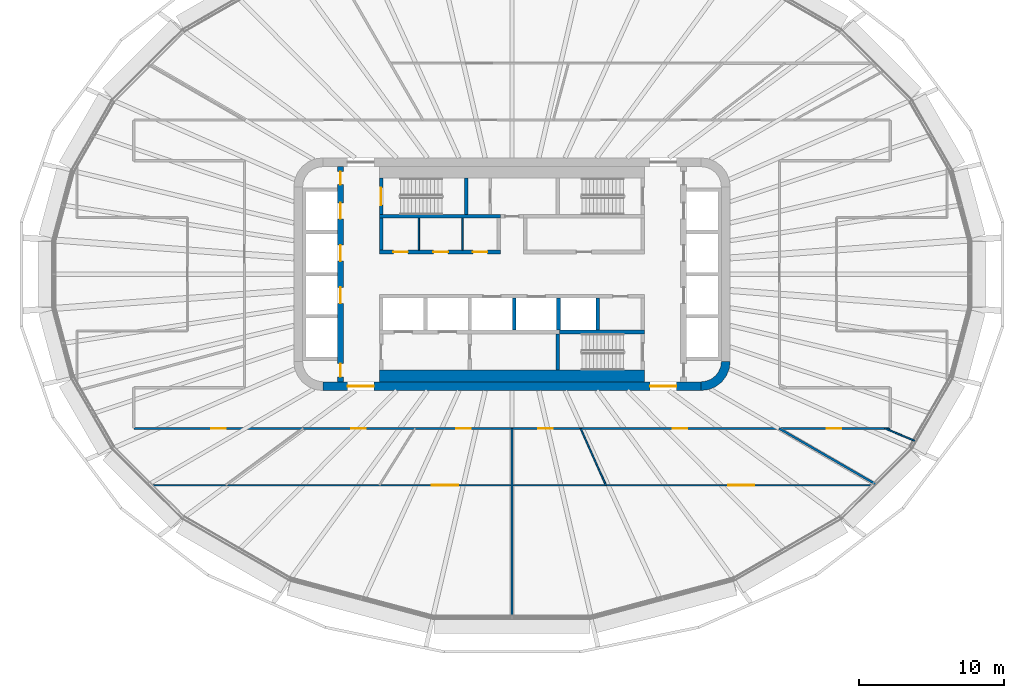
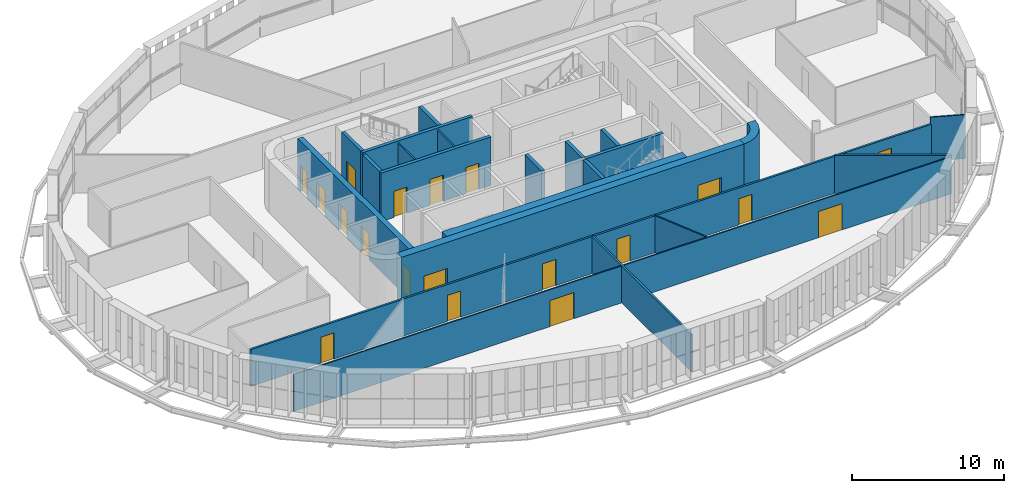
# One storey, part 15 of 25: 22 walls, 19 doors, 19 openings.
"""IFC4 building model written with IfcOpenShell, lengths in metres."""

from ifc_helpers import new_model, si_unit, direction, frame, frame_2d, origin, place, context, subcontext, project, spatial, polyline, rectangle, outline, extrude, material, layer, layer_set, type_object, element, fill, save


model = new_model("IFC4")

# Units and contexts
model_context = context("Model", 3, precision=1e-05, world=origin(), true_north=direction((0.0, 1.0)))
body_context = subcontext(model_context, "Body", "Model", "MODEL_VIEW")
ifc_project = project(units=[si_unit("LENGTHUNIT", "METRE"), si_unit("AREAUNIT", "SQUARE_METRE"), si_unit("VOLUMEUNIT", "CUBIC_METRE"), si_unit("PLANEANGLEUNIT", "RADIAN"), si_unit("MASSUNIT", "GRAM", prefix="KILO")], contexts=[model_context])

# Site, building, storey
site_placement = place(None, origin())
site = spatial("IfcSite", under=ifc_project, at=site_placement, CompositionType="ELEMENT")
building_placement = place(site_placement, origin())
building = spatial("IfcBuilding", under=site, at=building_placement, Name="Sahrelin Media Tower", CompositionType="ELEMENT")
storey_placement = place(building_placement, frame((0.0, 0.0, 139.800048828125)))
storey = spatial("IfcBuildingStorey", under=building, at=storey_placement, Name="L28", CompositionType="ELEMENT", Elevation=139.800048828125)

# Wall, openings, doors
ifc_material_1 = material(Name="Concrete C60/75", Category="concrete")
ifc_layer_1 = layer(ifc_material_1, 0.60009765625)
ifc_layer_set_1 = layer_set([ifc_layer_1], Name="Core wall 600")
wall_type_1 = type_object("IfcWallType", Name="Core wall 600", PredefinedType="SHEAR", material=ifc_layer_set_1)
wall_1_placement = place(storey_placement, frame((-13.0, -7.699951171875, 0.0), z_axis=(0.0, 0.0, 1.0), x_axis=(1.0, 0.0, 0.0)))
wall_1 = element("IfcWall", 1, at=wall_1_placement, inside=storey, type_object=wall_type_1, Name="Core wall S L28", PredefinedType="SHEAR", context=body_context, shape_type="SweptSolid", body=[
    extrude(rectangle(XDim=26.0, YDim=0.60009765625, at=frame_2d((13.0, 0.0))), origin(), (0.0, 0.0, 1.0), 4.199951171875),
])
opening_1_placement = place(wall_1_placement, frame((1.699951171875, 0.0, 0.0)))
opening_1 = element("IfcOpeningElement", 2, at=opening_1_placement, cuts=wall_1, Name="Opening L28-D19", PredefinedType="OPENING", context=body_context, shape_type="SweptSolid", body=[
    extrude(rectangle(XDim=1.800048828125, YDim=2.10009765625, at=frame_2d((0.89990234375, 1.050048828125))), frame((0.0, 0.300048828125, 0.0), z_axis=(0.0, -1.0, 0.0), x_axis=(1.0, 0.0, 0.0)), (0.0, 0.0, 1.0), 0.60009765625),
])
opening_2_placement = place(wall_1_placement, frame((22.5, 0.0, 0.0)))
opening_2 = element("IfcOpeningElement", 3, at=opening_2_placement, cuts=wall_1, Name="Opening L28-D20", PredefinedType="OPENING", context=body_context, shape_type="SweptSolid", body=[
    extrude(rectangle(XDim=1.800048828125, YDim=2.10009765625, at=frame_2d((0.89990234375, 1.050048828125))), frame((0.0, 0.300048828125, 0.0), z_axis=(0.0, -1.0, 0.0), x_axis=(1.0, 0.0, 0.0)), (0.0, 0.0, 1.0), 0.60009765625),
])
ifc_material_2 = material(Name="Steel fire door leaf", Category="steel")
door_type_1 = type_object("IfcDoorType", Name="Lobby double door 1800 x 2100 EI 60", OperationType="DOUBLE_DOOR_SINGLE_SWING", PredefinedType="DOOR", material=ifc_material_2)
door_1_placement = place(opening_1_placement, origin())
door_1 = element("IfcDoor", 4, at=door_1_placement, inside=storey, type_object=door_type_1, Name="Lobby door", OperationType="DOUBLE_DOOR_SINGLE_SWING", OverallHeight=2.10009765625, OverallWidth=1.800048828125, PredefinedType="DOOR", context=body_context, shape_type="SweptSolid", body=[
    extrude(rectangle(XDim=1.800048828125, YDim=2.10009765625, at=frame_2d((0.89990234375, 1.050048828125))), frame((0.0, 0.02490234375, 0.0), z_axis=(0.0, -1.0, 0.0), x_axis=(1.0, 0.0, 0.0)), (0.0, 0.0, 1.0), 0.050048828125),
])
fill(opening_1, door_1)
door_2_placement = place(opening_2_placement, origin())
door_2 = element("IfcDoor", 5, at=door_2_placement, inside=storey, type_object=door_type_1, Name="Lobby door", OperationType="DOUBLE_DOOR_SINGLE_SWING", OverallHeight=2.10009765625, OverallWidth=1.800048828125, PredefinedType="DOOR", context=body_context, shape_type="SweptSolid", body=[
    extrude(rectangle(XDim=1.800048828125, YDim=2.10009765625, at=frame_2d((0.89990234375, 1.050048828125))), frame((0.0, 0.02490234375, 0.0), z_axis=(0.0, -1.0, 0.0), x_axis=(1.0, 0.0, 0.0)), (0.0, 0.0, 1.0), 0.050048828125),
])
fill(opening_2, door_2)

# Wall
wall_2_placement = place(storey_placement, origin())
element("IfcWall", 6, at=wall_2_placement, inside=storey, type_object=wall_type_1, Name="Core wall corner SE L28", PredefinedType="SHEAR", context=body_context, shape_type="SweptSolid", body=[
    extrude(outline(polyline([(15.0, -6.0), (14.394775390625, -6.0), (14.347412109375, -6.361083984375), (14.2080078125, -6.697509765625), (13.986328125, -6.986328125), (13.697509765625, -7.2080078125), (13.361083984375, -7.347412109375), (13.0, -7.394775390625), (13.0, -8.0), (13.517578125, -7.931884765625), (14.0, -7.732177734375), (14.414306640625, -7.414306640625), (14.732177734375, -7.0), (14.931884765625, -6.517578125), (15.0, -6.0)])), origin(), (0.0, 0.0, 1.0), 4.199951171875),
])

# Wall, openings, doors
ifc_material_3 = material(Name="Fire-rated gypsum board partition")
ifc_layer_2 = layer(ifc_material_3, 0.25)
ifc_layer_set_2 = layer_set([ifc_layer_2], Name="Fire-rated lobby wall 250")
wall_type_2 = type_object("IfcWallType", Name="Fire-rated lobby wall 250", PredefinedType="PARTITIONING", material=ifc_layer_set_2)
wall_3_placement = place(storey_placement, frame((-9.125, 1.52490234375, 0.0), z_axis=(0.0, 0.0, 1.0), x_axis=(1.0, 0.0, 0.0)))
wall_3 = element("IfcWall", 7, at=wall_3_placement, inside=storey, type_object=wall_type_2, Name="Core lobby wall", PredefinedType="PARTITIONING", context=body_context, shape_type="SweptSolid", body=[
    extrude(rectangle(XDim=8.35009765625, YDim=0.25, at=frame_2d((4.175048828125, 0.0))), origin(), (0.0, 0.0, 1.0), 3.89990234375),
])
opening_3_placement = place(wall_3_placement, frame((0.96240234375, 0.0, 0.0)))
opening_3 = element("IfcOpeningElement", 8, at=opening_3_placement, cuts=wall_3, Name="Opening L28-D08", PredefinedType="OPENING", context=body_context, shape_type="SweptSolid", body=[
    extrude(rectangle(XDim=1.0, YDim=2.10009765625, at=frame_2d((0.5, 1.050048828125))), frame((0.0, 0.125, 0.0), z_axis=(0.0, -1.0, 0.0), x_axis=(1.0, 0.0, 0.0)), (0.0, 0.0, 1.0), 0.25),
])
opening_4_placement = place(wall_3_placement, frame((3.72509765625, 0.0, 0.0)))
opening_4 = element("IfcOpeningElement", 9, at=opening_4_placement, cuts=wall_3, Name="Opening L28-D09", PredefinedType="OPENING", context=body_context, shape_type="SweptSolid", body=[
    extrude(rectangle(XDim=1.0, YDim=2.10009765625, at=frame_2d((0.5, 1.050048828125))), frame((0.0, 0.125, 0.0), z_axis=(0.0, -1.0, 0.0), x_axis=(1.0, 0.0, 0.0)), (0.0, 0.0, 1.0), 0.25),
])
opening_5_placement = place(wall_3_placement, frame((6.4375, 0.0, 0.0)))
opening_5 = element("IfcOpeningElement", 10, at=opening_5_placement, cuts=wall_3, Name="Opening L28-D10", PredefinedType="OPENING", context=body_context, shape_type="SweptSolid", body=[
    extrude(rectangle(XDim=1.0, YDim=2.10009765625, at=frame_2d((0.5, 1.050048828125))), frame((0.0, 0.125, 0.0), z_axis=(0.0, -1.0, 0.0), x_axis=(1.0, 0.0, 0.0)), (0.0, 0.0, 1.0), 0.25),
])
door_type_2 = type_object("IfcDoorType", Name="Fire door 1000 x 2100 EI 60", OperationType="NOTDEFINED", PredefinedType="DOOR", material=ifc_material_2)
door_3_placement = place(opening_3_placement, origin())
door_3 = element("IfcDoor", 11, at=door_3_placement, inside=storey, type_object=door_type_2, Name="Core room door", OperationType="SINGLE_SWING_LEFT", OverallHeight=2.10009765625, OverallWidth=1.0, PredefinedType="DOOR", context=body_context, shape_type="SweptSolid", body=[
    extrude(rectangle(XDim=1.0, YDim=2.10009765625, at=frame_2d((0.5, 1.050048828125))), frame((0.0, 0.02490234375, 0.0), z_axis=(0.0, -1.0, 0.0), x_axis=(1.0, 0.0, 0.0)), (0.0, 0.0, 1.0), 0.050048828125),
])
fill(opening_3, door_3)
door_4_placement = place(opening_4_placement, origin())
door_4 = element("IfcDoor", 12, at=door_4_placement, inside=storey, type_object=door_type_2, Name="Core room door", OperationType="SINGLE_SWING_LEFT", OverallHeight=2.10009765625, OverallWidth=1.0, PredefinedType="DOOR", context=body_context, shape_type="SweptSolid", body=[
    extrude(rectangle(XDim=1.0, YDim=2.10009765625, at=frame_2d((0.5, 1.050048828125))), frame((0.0, 0.02490234375, 0.0), z_axis=(0.0, -1.0, 0.0), x_axis=(1.0, 0.0, 0.0)), (0.0, 0.0, 1.0), 0.050048828125),
])
fill(opening_4, door_4)
door_5_placement = place(opening_5_placement, origin())
door_5 = element("IfcDoor", 13, at=door_5_placement, inside=storey, type_object=door_type_2, Name="Core room door", OperationType="SINGLE_SWING_LEFT", OverallHeight=2.10009765625, OverallWidth=1.0, PredefinedType="DOOR", context=body_context, shape_type="SweptSolid", body=[
    extrude(rectangle(XDim=1.0, YDim=2.10009765625, at=frame_2d((0.5, 1.050048828125))), frame((0.0, 0.02490234375, 0.0), z_axis=(0.0, -1.0, 0.0), x_axis=(1.0, 0.0, 0.0)), (0.0, 0.0, 1.0), 0.050048828125),
])
fill(opening_5, door_5)

# Walls
wall_4_placement = place(storey_placement, frame((-9.0, 1.64990234375, 0.0), z_axis=(0.0, 0.0, 1.0), x_axis=(0.0, 1.0, 0.0)))
element("IfcWall", 14, at=wall_4_placement, inside=storey, type_object=wall_type_2, Name="Core lobby wall", PredefinedType="PARTITIONING", context=body_context, shape_type="SweptSolid", body=[
    extrude(rectangle(XDim=2.2001953125, YDim=0.25, at=frame_2d((1.10009765625, 0.0))), origin(), (0.0, 0.0, 1.0), 3.89990234375),
])
ifc_layer_3 = layer(ifc_material_3, 0.10009765625)
ifc_layer_set_3 = layer_set([ifc_layer_3], Name="Fire-rated partition 100")
wall_type_3 = type_object("IfcWallType", Name="Fire-rated partition 100", PredefinedType="PARTITIONING", material=ifc_layer_set_3)
for number, where, z_axis, x_axis, name in (
    (15, (-6.39990234375, 1.64990234375, 0.0), (0.0, 0.0, 1.0), (0.0, 1.0, 0.0), "Core room partition"),
    (16, (-3.39990234375, 1.64990234375, 0.0), (0.0, 0.0, 1.0), (0.0, 1.0, 0.0), "Core room partition"),
):
    element("IfcWall", number, at=place(storey_placement, frame(where, z_axis=z_axis, x_axis=x_axis)), inside=storey, type_object=wall_type_3, Name=name, PredefinedType="PARTITIONING", context=body_context, shape_type="SweptSolid", body=[
        extrude(rectangle(XDim=2.2001953125, YDim=0.10009765625, at=frame_2d((1.10009765625, 0.0))), origin(), (0.0, 0.0, 1.0), 3.89990234375),
    ])
ifc_layer_4 = layer(ifc_material_3, 0.14990234375)
ifc_layer_set_4 = layer_set([ifc_layer_4], Name="Fire-rated partition 150")
wall_type_4 = type_object("IfcWallType", Name="Fire-rated partition 150", PredefinedType="PARTITIONING", material=ifc_layer_set_4)
wall_5_placement = place(storey_placement, frame((18.35888671875, -10.60009765625, 0.0), z_axis=(0.0, 0.0, 1.0), x_axis=(0.866036201792, -0.499981296836, 0.0)))
element("IfcWall", 17, at=wall_5_placement, inside=storey, type_object=wall_type_4, Name="Wall", PredefinedType="PARTITIONING", context=body_context, shape_type="SweptSolid", body=[
    extrude(rectangle(XDim=7.701904296875, YDim=0.14990234375, at=frame_2d((3.85107421875, 0.0))), origin(), (0.0, 0.0, 1.0), 3.044921875),
])

# Wall, openings, doors
wall_6_placement = place(storey_placement, frame((-25.986083984375, -10.60009765625, 0.0), z_axis=(0.0, 0.0, 1.0), x_axis=(1.0, 0.0, 0.0)))
wall_6 = element("IfcWall", 18, at=wall_6_placement, inside=storey, type_object=wall_type_4, Name="Wall", PredefinedType="PARTITIONING", context=body_context, shape_type="SweptSolid", body=[
    extrude(rectangle(XDim=51.97216796875, YDim=0.14990234375, at=frame_2d((25.986083984375, 0.0))), origin(), (0.0, 0.0, 1.0), 2.96826171875),
])
opening_6_placement = place(wall_6_placement, frame((47.628173828125, 0.0, 0.0)))
opening_6 = element("IfcOpeningElement", 19, at=opening_6_placement, cuts=wall_6, Name="Opening L28-D21", PredefinedType="OPENING", context=body_context, shape_type="SweptSolid", body=[
    extrude(rectangle(XDim=1.0, YDim=2.10009765625, at=frame_2d((0.5, 1.050048828125))), frame((0.0, 0.074951171875, 0.0), z_axis=(0.0, -1.0, 0.0), x_axis=(1.0, 0.0, 0.0)), (0.0, 0.0, 1.0), 0.14990234375),
])
opening_7_placement = place(wall_6_placement, frame((5.3115234375, 0.0, 0.0)))
opening_7 = element("IfcOpeningElement", 20, at=opening_7_placement, cuts=wall_6, Name="Opening L28-D32", PredefinedType="OPENING", context=body_context, shape_type="SweptSolid", body=[
    extrude(rectangle(XDim=1.0, YDim=2.10009765625, at=frame_2d((0.5, 1.050048828125))), frame((0.0, 0.074951171875, 0.0), z_axis=(0.0, -1.0, 0.0), x_axis=(1.0, 0.0, 0.0)), (0.0, 0.0, 1.0), 0.14990234375),
])
opening_8_placement = place(wall_6_placement, frame((14.924072265625, 0.0, 0.0)))
opening_8 = element("IfcOpeningElement", 21, at=opening_8_placement, cuts=wall_6, Name="Opening L28-D33", PredefinedType="OPENING", context=body_context, shape_type="SweptSolid", body=[
    extrude(rectangle(XDim=1.0, YDim=2.10009765625, at=frame_2d((0.5, 1.050048828125))), frame((0.0, 0.074951171875, 0.0), z_axis=(0.0, -1.0, 0.0), x_axis=(1.0, 0.0, 0.0)), (0.0, 0.0, 1.0), 0.14990234375),
])
opening_9_placement = place(wall_6_placement, frame((22.155517578125, 0.0, 0.0)))
opening_9 = element("IfcOpeningElement", 22, at=opening_9_placement, cuts=wall_6, Name="Opening L28-D34", PredefinedType="OPENING", context=body_context, shape_type="SweptSolid", body=[
    extrude(rectangle(XDim=1.0, YDim=2.10009765625, at=frame_2d((0.5, 1.050048828125))), frame((0.0, 0.074951171875, 0.0), z_axis=(0.0, -1.0, 0.0), x_axis=(1.0, 0.0, 0.0)), (0.0, 0.0, 1.0), 0.14990234375),
])
opening_10_placement = place(wall_6_placement, frame((27.795166015625, 0.0, 0.0)))
opening_10 = element("IfcOpeningElement", 23, at=opening_10_placement, cuts=wall_6, Name="Opening L28-D36", PredefinedType="OPENING", context=body_context, shape_type="SweptSolid", body=[
    extrude(rectangle(XDim=1.0, YDim=2.10009765625, at=frame_2d((0.5, 1.050048828125))), frame((0.0, 0.074951171875, 0.0), z_axis=(0.0, -1.0, 0.0), x_axis=(1.0, 0.0, 0.0)), (0.0, 0.0, 1.0), 0.14990234375),
])
opening_11_placement = place(wall_6_placement, frame((37.04541015625, 0.0, 0.0)))
opening_11 = element("IfcOpeningElement", 24, at=opening_11_placement, cuts=wall_6, Name="Opening L28-D37", PredefinedType="OPENING", context=body_context, shape_type="SweptSolid", body=[
    extrude(rectangle(XDim=1.0, YDim=2.10009765625, at=frame_2d((0.5, 1.050048828125))), frame((0.0, 0.074951171875, 0.0), z_axis=(0.0, -1.0, 0.0), x_axis=(1.0, 0.0, 0.0)), (0.0, 0.0, 1.0), 0.14990234375),
])
door_6_placement = place(opening_6_placement, origin())
door_6 = element("IfcDoor", 25, at=door_6_placement, inside=storey, type_object=door_type_2, Name="Fire door", OperationType="SINGLE_SWING_LEFT", OverallHeight=2.10009765625, OverallWidth=1.0, PredefinedType="DOOR", context=body_context, shape_type="SweptSolid", body=[
    extrude(rectangle(XDim=1.0, YDim=2.10009765625, at=frame_2d((0.5, 1.050048828125))), frame((0.0, 0.02490234375, 0.0), z_axis=(0.0, -1.0, 0.0), x_axis=(1.0, 0.0, 0.0)), (0.0, 0.0, 1.0), 0.050048828125),
])
fill(opening_6, door_6)
door_7_placement = place(opening_7_placement, origin())
door_7 = element("IfcDoor", 26, at=door_7_placement, inside=storey, type_object=door_type_2, Name="Fire door", OperationType="SINGLE_SWING_RIGHT", OverallHeight=2.10009765625, OverallWidth=1.0, PredefinedType="DOOR", context=body_context, shape_type="SweptSolid", body=[
    extrude(rectangle(XDim=1.0, YDim=2.10009765625, at=frame_2d((0.5, 1.050048828125))), frame((0.0, 0.02490234375, 0.0), z_axis=(0.0, -1.0, 0.0), x_axis=(1.0, 0.0, 0.0)), (0.0, 0.0, 1.0), 0.050048828125),
])
fill(opening_7, door_7)
door_8_placement = place(opening_8_placement, origin())
door_8 = element("IfcDoor", 27, at=door_8_placement, inside=storey, type_object=door_type_2, Name="Fire door", OperationType="SINGLE_SWING_RIGHT", OverallHeight=2.10009765625, OverallWidth=1.0, PredefinedType="DOOR", context=body_context, shape_type="SweptSolid", body=[
    extrude(rectangle(XDim=1.0, YDim=2.10009765625, at=frame_2d((0.5, 1.050048828125))), frame((0.0, 0.02490234375, 0.0), z_axis=(0.0, -1.0, 0.0), x_axis=(1.0, 0.0, 0.0)), (0.0, 0.0, 1.0), 0.050048828125),
])
fill(opening_8, door_8)
door_9_placement = place(opening_9_placement, origin())
door_9 = element("IfcDoor", 28, at=door_9_placement, inside=storey, type_object=door_type_2, Name="Fire door", OperationType="SINGLE_SWING_RIGHT", OverallHeight=2.10009765625, OverallWidth=1.0, PredefinedType="DOOR", context=body_context, shape_type="SweptSolid", body=[
    extrude(rectangle(XDim=1.0, YDim=2.10009765625, at=frame_2d((0.5, 1.050048828125))), frame((0.0, 0.02490234375, 0.0), z_axis=(0.0, -1.0, 0.0), x_axis=(1.0, 0.0, 0.0)), (0.0, 0.0, 1.0), 0.050048828125),
])
fill(opening_9, door_9)
door_10_placement = place(opening_10_placement, origin())
door_10 = element("IfcDoor", 29, at=door_10_placement, inside=storey, type_object=door_type_2, Name="Fire door", OperationType="SINGLE_SWING_LEFT", OverallHeight=2.10009765625, OverallWidth=1.0, PredefinedType="DOOR", context=body_context, shape_type="SweptSolid", body=[
    extrude(rectangle(XDim=1.0, YDim=2.10009765625, at=frame_2d((0.5, 1.050048828125))), frame((0.0, 0.02490234375, 0.0), z_axis=(0.0, -1.0, 0.0), x_axis=(1.0, 0.0, 0.0)), (0.0, 0.0, 1.0), 0.050048828125),
])
fill(opening_10, door_10)
door_11_placement = place(opening_11_placement, origin())
door_11 = element("IfcDoor", 30, at=door_11_placement, inside=storey, type_object=door_type_2, Name="Fire door", OperationType="SINGLE_SWING_LEFT", OverallHeight=2.10009765625, OverallWidth=1.0, PredefinedType="DOOR", context=body_context, shape_type="SweptSolid", body=[
    extrude(rectangle(XDim=1.0, YDim=2.10009765625, at=frame_2d((0.5, 1.050048828125))), frame((0.0, 0.02490234375, 0.0), z_axis=(0.0, -1.0, 0.0), x_axis=(1.0, 0.0, 0.0)), (0.0, 0.0, 1.0), 0.050048828125),
])
fill(opening_11, door_11)

# Walls
wall_7_placement = place(storey_placement, frame((0.0, -23.696044921875, 0.0), z_axis=(0.0, 0.0, 1.0), x_axis=(0.0, 1.0, 0.0)))
element("IfcWall", 31, at=wall_7_placement, inside=storey, type_object=wall_type_4, Name="Wall", PredefinedType="PARTITIONING", context=body_context, shape_type="SweptSolid", body=[
    extrude(rectangle(XDim=13.095947265625, YDim=0.14990234375, at=frame_2d((6.5478515625, 0.0))), origin(), (0.0, 0.0, 1.0), 2.96826171875),
])
ifc_layer_5 = layer(ifc_material_1, 0.25)
ifc_layer_set_5 = layer_set([ifc_layer_5], Name="Lift shaft wall 250")
wall_type_5 = type_object("IfcWallType", Name="Lift shaft wall 250", PredefinedType="SOLIDWALL", material=ifc_layer_set_5)
wall_8_placement = place(storey_placement, frame((3.27490234375, -3.97509765625, 0.0), z_axis=(0.0, 0.0, 1.0), x_axis=(1.0, 0.0, 0.0)))
element("IfcWall", 32, at=wall_8_placement, inside=storey, type_object=wall_type_5, Name="Lift shaft wall", PredefinedType="SOLIDWALL", context=body_context, shape_type="SweptSolid", body=[
    extrude(rectangle(XDim=5.85009765625, YDim=0.25, at=frame_2d((2.925048828125, 0.0))), origin(), (0.0, 0.0, 1.0), 4.050048828125),
])
for number, where, z_axis, x_axis, name in (
    (33, (0.14990234375, -3.85009765625, 0.0), (0.0, 0.0, 1.0), (0.0, 1.0, 0.0), "Lift shaft wall"),
    (34, (3.199951171875, -3.85009765625, 0.0), (0.0, 0.0, 1.0), (0.0, 1.0, 0.0), "Lift shaft wall"),
    (35, (5.89990234375, -3.85009765625, 0.0), (0.0, 0.0, 1.0), (0.0, 1.0, 0.0), "Lift shaft wall"),
):
    element("IfcWall", number, at=place(storey_placement, frame(where, z_axis=z_axis, x_axis=x_axis)), inside=storey, type_object=wall_type_5, Name=name, PredefinedType="SOLIDWALL", context=body_context, shape_type="SweptSolid", body=[
        extrude(rectangle(XDim=2.2001953125, YDim=0.25, at=frame_2d((1.10009765625, 0.0))), origin(), (0.0, 0.0, 1.0), 4.050048828125),
    ])

# Wall, openings, doors
ifc_layer_6 = layer(ifc_material_1, 0.39990234375)
ifc_layer_set_6 = layer_set([ifc_layer_6], Name="Lift shaft wall 400")
wall_type_6 = type_object("IfcWallType", Name="Lift shaft wall 400", PredefinedType="SOLIDWALL", material=ifc_layer_set_6)
wall_9_placement = place(storey_placement, frame((-11.800048828125, -7.39990234375, 0.0), z_axis=(0.0, 0.0, 1.0), x_axis=(0.0, 1.0, 0.0)))
wall_9 = element("IfcWall", 36, at=wall_9_placement, inside=storey, type_object=wall_type_6, Name="Lift shaft wall", PredefinedType="SOLIDWALL", context=body_context, shape_type="SweptSolid", body=[
    extrude(rectangle(XDim=14.7998046875, YDim=0.39990234375, at=frame_2d((7.39990234375, 0.0))), origin(), (0.0, 0.0, 1.0), 4.050048828125),
])
opening_12_placement = place(wall_9_placement, frame((11.199951171875, 0.0, 0.0)))
opening_12 = element("IfcOpeningElement", 37, at=opening_12_placement, cuts=wall_9, Name="Opening L28-LD-LR1", PredefinedType="OPENING", context=body_context, shape_type="SweptSolid", body=[
    extrude(rectangle(XDim=1.10009765625, YDim=2.10009765625, at=frame_2d((0.550048828125, 1.050048828125))), frame((0.0, 0.199951171875, 0.0), z_axis=(0.0, -1.0, 0.0), x_axis=(1.0, 0.0, 0.0)), (0.0, 0.0, 1.0), 0.39990234375),
])
opening_13_placement = place(wall_9_placement, frame((8.300048828125, 0.0, 0.0)))
opening_13 = element("IfcOpeningElement", 38, at=opening_13_placement, cuts=wall_9, Name="Opening L28-LD-LR2", PredefinedType="OPENING", context=body_context, shape_type="SweptSolid", body=[
    extrude(rectangle(XDim=1.10009765625, YDim=2.10009765625, at=frame_2d((0.550048828125, 1.050048828125))), frame((0.0, 0.199951171875, 0.0), z_axis=(0.0, -1.0, 0.0), x_axis=(1.0, 0.0, 0.0)), (0.0, 0.0, 1.0), 0.39990234375),
])
opening_14_placement = place(wall_9_placement, frame((5.39990234375, 0.0, 0.0)))
opening_14 = element("IfcOpeningElement", 39, at=opening_14_placement, cuts=wall_9, Name="Opening L28-LD-LR3", PredefinedType="OPENING", context=body_context, shape_type="SweptSolid", body=[
    extrude(rectangle(XDim=1.10009765625, YDim=2.10009765625, at=frame_2d((0.550048828125, 1.050048828125))), frame((0.0, 0.199951171875, 0.0), z_axis=(0.0, -1.0, 0.0), x_axis=(1.0, 0.0, 0.0)), (0.0, 0.0, 1.0), 0.39990234375),
])
opening_15_placement = place(wall_9_placement, frame((13.552490234375, 0.0, 0.0)))
opening_15 = element("IfcOpeningElement", 40, at=opening_15_placement, cuts=wall_9, Name="Opening L28-D13", PredefinedType="OPENING", context=body_context, shape_type="SweptSolid", body=[
    extrude(rectangle(XDim=0.89990234375, YDim=2.10009765625, at=frame_2d((0.449951171875, 1.050048828125))), frame((0.0, 0.199951171875, 0.0), z_axis=(0.0, -1.0, 0.0), x_axis=(1.0, 0.0, 0.0)), (0.0, 0.0, 1.0), 0.39990234375),
])
opening_16_placement = place(wall_9_placement, frame((0.347412109375, 0.0, 0.0)))
opening_16 = element("IfcOpeningElement", 41, at=opening_16_placement, cuts=wall_9, Name="Opening L28-D14", PredefinedType="OPENING", context=body_context, shape_type="SweptSolid", body=[
    extrude(rectangle(XDim=0.89990234375, YDim=2.10009765625, at=frame_2d((0.449951171875, 1.050048828125))), frame((0.0, 0.199951171875, 0.0), z_axis=(0.0, -1.0, 0.0), x_axis=(1.0, 0.0, 0.0)), (0.0, 0.0, 1.0), 0.39990234375),
])
ifc_material_4 = material(Name="Stainless steel", Category="steel")
door_type_3 = type_object("IfcDoorType", Name="Lift landing door 1100 x 2100 EI 120", OperationType="DOUBLE_DOOR_SLIDING", PredefinedType="DOOR", material=ifc_material_4)
door_12_placement = place(opening_12_placement, origin())
door_12 = element("IfcDoor", 42, at=door_12_placement, inside=storey, type_object=door_type_3, Name="Lift landing door LR1", OperationType="DOUBLE_DOOR_SLIDING", OverallHeight=2.10009765625, OverallWidth=1.10009765625, PredefinedType="DOOR", context=body_context, shape_type="SweptSolid", body=[
    extrude(rectangle(XDim=1.10009765625, YDim=2.10009765625, at=frame_2d((0.550048828125, 1.050048828125))), frame((0.0, 0.02490234375, 0.0), z_axis=(0.0, -1.0, 0.0), x_axis=(1.0, 0.0, 0.0)), (0.0, 0.0, 1.0), 0.050048828125),
])
fill(opening_12, door_12)
door_13_placement = place(opening_13_placement, origin())
door_13 = element("IfcDoor", 43, at=door_13_placement, inside=storey, type_object=door_type_3, Name="Lift landing door LR2", OperationType="DOUBLE_DOOR_SLIDING", OverallHeight=2.10009765625, OverallWidth=1.10009765625, PredefinedType="DOOR", context=body_context, shape_type="SweptSolid", body=[
    extrude(rectangle(XDim=1.10009765625, YDim=2.10009765625, at=frame_2d((0.550048828125, 1.050048828125))), frame((0.0, 0.02490234375, 0.0), z_axis=(0.0, -1.0, 0.0), x_axis=(1.0, 0.0, 0.0)), (0.0, 0.0, 1.0), 0.050048828125),
])
fill(opening_13, door_13)
door_14_placement = place(opening_14_placement, origin())
door_14 = element("IfcDoor", 44, at=door_14_placement, inside=storey, type_object=door_type_3, Name="Lift landing door LR3", OperationType="DOUBLE_DOOR_SLIDING", OverallHeight=2.10009765625, OverallWidth=1.10009765625, PredefinedType="DOOR", context=body_context, shape_type="SweptSolid", body=[
    extrude(rectangle(XDim=1.10009765625, YDim=2.10009765625, at=frame_2d((0.550048828125, 1.050048828125))), frame((0.0, 0.02490234375, 0.0), z_axis=(0.0, -1.0, 0.0), x_axis=(1.0, 0.0, 0.0)), (0.0, 0.0, 1.0), 0.050048828125),
])
fill(opening_14, door_14)
door_type_4 = type_object("IfcDoorType", Name="Riser door 900 x 2100 EI 120", OperationType="NOTDEFINED", PredefinedType="DOOR", material=ifc_material_2)
door_15_placement = place(opening_15_placement, origin())
door_15 = element("IfcDoor", 45, at=door_15_placement, inside=storey, type_object=door_type_4, Name="Riser door", OperationType="SINGLE_SWING_LEFT", OverallHeight=2.10009765625, OverallWidth=0.89990234375, PredefinedType="DOOR", context=body_context, shape_type="SweptSolid", body=[
    extrude(rectangle(XDim=0.89990234375, YDim=2.10009765625, at=frame_2d((0.449951171875, 1.050048828125))), frame((0.0, 0.02490234375, 0.0), z_axis=(0.0, -1.0, 0.0), x_axis=(1.0, 0.0, 0.0)), (0.0, 0.0, 1.0), 0.050048828125),
])
fill(opening_15, door_15)
door_16_placement = place(opening_16_placement, origin())
door_16 = element("IfcDoor", 46, at=door_16_placement, inside=storey, type_object=door_type_4, Name="Riser door", OperationType="SINGLE_SWING_LEFT", OverallHeight=2.10009765625, OverallWidth=0.89990234375, PredefinedType="DOOR", context=body_context, shape_type="SweptSolid", body=[
    extrude(rectangle(XDim=0.89990234375, YDim=2.10009765625, at=frame_2d((0.449951171875, 1.050048828125))), frame((0.0, 0.02490234375, 0.0), z_axis=(0.0, -1.0, 0.0), x_axis=(1.0, 0.0, 0.0)), (0.0, 0.0, 1.0), 0.050048828125),
])
fill(opening_16, door_16)

# Walls
ifc_material_5 = material(Name="Gypsum board partition")
ifc_layer_7 = layer(ifc_material_5, 0.10009765625)
ifc_layer_set_7 = layer_set([ifc_layer_7], Name="Partition 100")
wall_type_7 = type_object("IfcWallType", Name="Partition 100", PredefinedType="PARTITIONING", material=ifc_layer_set_7)
wall_10_placement = place(storey_placement, frame((4.718994140625, -10.60009765625, 0.0), z_axis=(0.0, 0.0, 1.0), x_axis=(0.406768186446, -0.913531412977, 0.0)))
element("IfcWall", 47, at=wall_10_placement, inside=storey, type_object=wall_type_7, Name="Wall", PredefinedType="PARTITIONING", context=body_context, shape_type="SweptSolid", body=[
    extrude(rectangle(XDim=4.280029296875, YDim=0.10009765625, at=frame_2d((2.14013671875, 0.0))), origin(), (0.0, 0.0, 1.0), 2.96826171875),
])
wall_11_placement = place(storey_placement, frame((25.635009765625, -10.60009765625, 0.0), z_axis=(0.0, 0.0, 1.0), x_axis=(0.924087226733, -0.382181628796, 0.0)))
element("IfcWall", 48, at=wall_11_placement, inside=storey, type_object=wall_type_7, Name="Wall", PredefinedType="PARTITIONING", context=body_context, shape_type="SweptSolid", body=[
    extrude(rectangle(XDim=2.3232421875, YDim=0.10009765625, at=frame_2d((1.16162109375, 0.0))), origin(), (0.0, 0.0, 1.0), 3.52490234375),
])

# Wall, openings, doors
wall_12_placement = place(storey_placement, frame((-24.969970703125, -14.510009765625, 0.0), z_axis=(0.0, 0.0, 1.0), x_axis=(1.0, 0.0, 0.0)))
wall_12 = element("IfcWall", 49, at=wall_12_placement, inside=storey, type_object=wall_type_7, Name="Wall", PredefinedType="PARTITIONING", context=body_context, shape_type="SweptSolid", body=[
    extrude(rectangle(XDim=49.93994140625, YDim=0.10009765625, at=frame_2d((24.969970703125, 0.0))), origin(), (0.0, 0.0, 1.0), 2.96826171875),
])
opening_17_placement = place(wall_12_placement, frame((19.46142578125, 0.0, 0.0)))
opening_17 = element("IfcOpeningElement", 50, at=opening_17_placement, cuts=wall_12, Name="Opening L28-D35", PredefinedType="OPENING", context=body_context, shape_type="SweptSolid", body=[
    extrude(rectangle(XDim=1.800048828125, YDim=2.10009765625, at=frame_2d((0.89990234375, 1.050048828125))), frame((0.0, 0.050048828125, 0.0), z_axis=(0.0, -1.0, 0.0), x_axis=(1.0, 0.0, 0.0)), (0.0, 0.0, 1.0), 0.10009765625),
])
opening_18_placement = place(wall_12_placement, frame((39.8349609375, 0.0, 0.0)))
opening_18 = element("IfcOpeningElement", 51, at=opening_18_placement, cuts=wall_12, Name="Opening L28-D38", PredefinedType="OPENING", context=body_context, shape_type="SweptSolid", body=[
    extrude(rectangle(XDim=1.800048828125, YDim=2.10009765625, at=frame_2d((0.89990234375, 1.050048828125))), frame((0.0, 0.050048828125, 0.0), z_axis=(0.0, -1.0, 0.0), x_axis=(1.0, 0.0, 0.0)), (0.0, 0.0, 1.0), 0.10009765625),
])
ifc_material_6 = material(Name="Timber door leaf", Category="wood")
door_type_5 = type_object("IfcDoorType", Name="Double door 1800 x 2100", OperationType="DOUBLE_DOOR_SINGLE_SWING", PredefinedType="DOOR", material=ifc_material_6)
door_17_placement = place(opening_17_placement, origin())
door_17 = element("IfcDoor", 52, at=door_17_placement, inside=storey, type_object=door_type_5, Name="Double door", OperationType="DOUBLE_DOOR_SINGLE_SWING", OverallHeight=2.10009765625, OverallWidth=1.800048828125, PredefinedType="DOOR", context=body_context, shape_type="SweptSolid", body=[
    extrude(rectangle(XDim=1.800048828125, YDim=2.10009765625, at=frame_2d((0.89990234375, 1.050048828125))), frame((0.0, 0.02490234375, 0.0), z_axis=(0.0, -1.0, 0.0), x_axis=(1.0, 0.0, 0.0)), (0.0, 0.0, 1.0), 0.050048828125),
])
fill(opening_17, door_17)
door_18_placement = place(opening_18_placement, origin())
door_18 = element("IfcDoor", 53, at=door_18_placement, inside=storey, type_object=door_type_5, Name="Double door", OperationType="DOUBLE_DOOR_SINGLE_SWING", OverallHeight=2.10009765625, OverallWidth=1.800048828125, PredefinedType="DOOR", context=body_context, shape_type="SweptSolid", body=[
    extrude(rectangle(XDim=1.800048828125, YDim=2.10009765625, at=frame_2d((0.89990234375, 1.050048828125))), frame((0.0, 0.02490234375, 0.0), z_axis=(0.0, -1.0, 0.0), x_axis=(1.0, 0.0, 0.0)), (0.0, 0.0, 1.0), 0.050048828125),
])
fill(opening_18, door_18)

# Wall, opening, door
ifc_layer_8 = layer(ifc_material_1, 0.25)
ifc_layer_set_8 = layer_set([ifc_layer_8], Name="Stair enclosure wall 250")
wall_type_8 = type_object("IfcWallType", Name="Stair enclosure wall 250", PredefinedType="SOLIDWALL", material=ifc_layer_set_8)
wall_13_placement = place(storey_placement, frame((-9.0, 4.10009765625, 0.0), z_axis=(0.0, 0.0, 1.0), x_axis=(0.0, 1.0, 0.0)))
wall_13 = element("IfcWall", 54, at=wall_13_placement, inside=storey, type_object=wall_type_8, Name="Stair enclosure wall", PredefinedType="SOLIDWALL", context=body_context, shape_type="SweptSolid", body=[
    extrude(rectangle(XDim=2.5, YDim=0.25, at=frame_2d((1.25, 0.0))), origin(), (0.0, 0.0, 1.0), 4.050048828125),
])
opening_19_placement = place(wall_13_placement, frame((0.64990234375, 0.0, 0.0)))
opening_19 = element("IfcOpeningElement", 55, at=opening_19_placement, cuts=wall_13, Name="Opening L28-D01", PredefinedType="OPENING", context=body_context, shape_type="SweptSolid", body=[
    extrude(rectangle(XDim=1.199951171875, YDim=2.10009765625, at=frame_2d((0.60009765625, 1.050048828125))), frame((0.0, 0.125, 0.0), z_axis=(0.0, -1.0, 0.0), x_axis=(1.0, 0.0, 0.0)), (0.0, 0.0, 1.0), 0.25),
])
door_type_6 = type_object("IfcDoorType", Name="Stair door 1200 x 2100 EI 120", OperationType="NOTDEFINED", PredefinedType="DOOR", material=ifc_material_2)
door_19_placement = place(opening_19_placement, origin())
door_19 = element("IfcDoor", 56, at=door_19_placement, inside=storey, type_object=door_type_6, Name="Stair door ST1", OperationType="SINGLE_SWING_RIGHT", OverallHeight=2.10009765625, OverallWidth=1.199951171875, PredefinedType="DOOR", context=body_context, shape_type="SweptSolid", body=[
    extrude(rectangle(XDim=1.199951171875, YDim=2.10009765625, at=frame_2d((0.60009765625, 1.050048828125))), frame((0.0, 0.02490234375, 0.0), z_axis=(0.0, -1.0, 0.0), x_axis=(1.0, 0.0, 0.0)), (0.0, 0.0, 1.0), 0.050048828125),
])
fill(opening_19, door_19)

# Walls
for number, where, z_axis, x_axis, name in (
    (57, (-3.14990234375, 4.10009765625, 0.0), (0.0, 0.0, 1.0), (0.0, 1.0, 0.0), "Stair enclosure wall"),
    (58, (3.14990234375, -6.60009765625, 0.0), (0.0, 0.0, 1.0), (0.0, 1.0, 0.0), "Stair enclosure wall"),
):
    element("IfcWall", number, at=place(storey_placement, frame(where, z_axis=z_axis, x_axis=x_axis)), inside=storey, type_object=wall_type_8, Name=name, PredefinedType="SOLIDWALL", context=body_context, shape_type="SweptSolid", body=[
        extrude(rectangle(XDim=2.5, YDim=0.25, at=frame_2d((1.25, 0.0))), origin(), (0.0, 0.0, 1.0), 4.050048828125),
    ])
wall_14_placement = place(storey_placement, frame((-9.125, 3.97509765625, 0.0), z_axis=(0.0, 0.0, 1.0), x_axis=(1.0, 0.0, 0.0)))
element("IfcWall", 59, at=wall_14_placement, inside=storey, type_object=wall_type_8, Name="Stair enclosure wall", PredefinedType="SOLIDWALL", context=body_context, shape_type="SweptSolid", body=[
    extrude(rectangle(XDim=8.35009765625, YDim=0.25, at=frame_2d((4.175048828125, 0.0))), origin(), (0.0, 0.0, 1.0), 4.050048828125),
])
ifc_layer_9 = layer(ifc_material_1, 0.800048828125)
ifc_layer_set_9 = layer_set([ifc_layer_9], Name="Stair enclosure wall 800")
wall_type_9 = type_object("IfcWallType", Name="Stair enclosure wall 800", PredefinedType="SOLIDWALL", material=ifc_layer_set_9)
wall_15_placement = place(storey_placement, frame((-9.125, -7.0, 0.0), z_axis=(0.0, 0.0, 1.0), x_axis=(1.0, 0.0, 0.0)))
element("IfcWall", 60, at=wall_15_placement, inside=storey, type_object=wall_type_9, Name="Stair enclosure wall", PredefinedType="SOLIDWALL", context=body_context, shape_type="SweptSolid", body=[
    extrude(rectangle(XDim=18.25, YDim=0.800048828125, at=frame_2d((9.125, 0.0))), origin(), (0.0, 0.0, 1.0), 4.050048828125),
])

save(model, "model.ifc")
